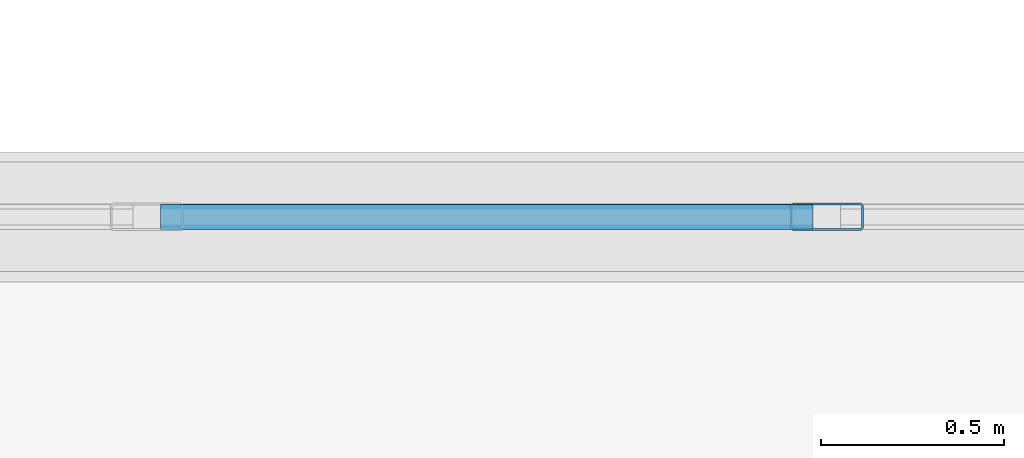
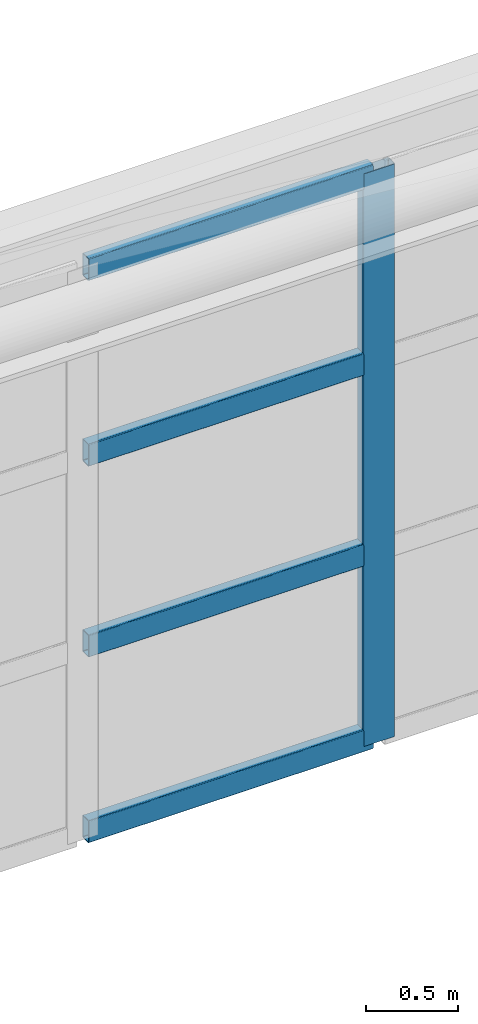
# One storey, part 72 of 135: 5 members, 1 element without a shape of its own.
"""IFC4 building model written with IfcOpenShell, lengths in metres."""

from ifc_helpers import new_model, si_unit, direction, frame, origin, origin_2d, place, context, subcontext, project, spatial, hollow_rectangle, extrude, material, material_profile, profile_set, type_object, element, aggregate, save


model = new_model("IFC4")

# Units and contexts
model_context = context("Model", 3, precision=1e-05, world=origin(), true_north=direction((0.0, 1.0)))
body_context = subcontext(model_context, "Body", "Model", "MODEL_VIEW")
ifc_project = project(units=[si_unit("LENGTHUNIT", "METRE"), si_unit("AREAUNIT", "SQUARE_METRE"), si_unit("VOLUMEUNIT", "CUBIC_METRE"), si_unit("PLANEANGLEUNIT", "RADIAN"), si_unit("MASSUNIT", "GRAM", prefix="KILO")], contexts=[model_context])

# Site, building, storey
site_placement = place(None, origin())
site = spatial("IfcSite", under=ifc_project, at=site_placement, CompositionType="ELEMENT")
building_placement = place(site_placement, origin())
building = spatial("IfcBuilding", under=site, at=building_placement, Name="Brelvane Convention Centre", CompositionType="ELEMENT")
storey_placement = place(building_placement, frame((0.0, 0.0, 15.0)))
storey = spatial("IfcBuildingStorey", under=building, at=storey_placement, Name="L03", CompositionType="ELEMENT", Elevation=15.0)

# Curtain wall, members
ifc_material_1 = material(Name="Anodised Aluminium Alloy 6063-T6", Category="aluminium")
curtain_wall_type = type_object("IfcCurtainWallType", Name="Curtain Wall CW-PLEN-E", PredefinedType="USERDEFINED", material=ifc_material_1)
curtain_wall_placement = place(storey_placement, origin())
curtain_wall = element("IfcCurtainWall", 1, at=curtain_wall_placement, inside=storey, type_object=curtain_wall_type, Name="Curtain Wall CW-PLEN-E L03-PLEN-N-CLER-3", ObjectType="UNITISED", PredefinedType="USERDEFINED")
ifc_material_2 = material(Name="Anodised Aluminium Alloy 6063-T6", Category="aluminium")
ifc_material_profile_1 = material_profile(ifc_material_2, hollow_rectangle(XDim=0.074951171875, YDim=0.199951171875, WallThickness=0.0048828125, InnerFilletRadius=0.0048828125, OuterFilletRadius=0.010009765625, at=origin_2d()), Name="ALU-M 200x75x5.0")
ifc_profile_set_1 = profile_set([ifc_material_profile_1], Name="Anodised Aluminium Alloy 6063-T6")
member_type_1 = type_object("IfcMemberType", Name="Curtain Mullion CW-M2", PredefinedType="MULLION", material=ifc_profile_set_1)
member_1_placement = place(storey_placement, frame((191.489990234375, 87.800048828125, 0.0), z_axis=(0.0, 0.0, 1.0), x_axis=(0.0, 1.0, 0.0)))
member_1 = element("IfcMember", 2, at=member_1_placement, type_object=member_type_1, Name="CW-PLEN-E mullion 5", PredefinedType="MULLION", context=body_context, shape_type="SweptSolid", body=[
    extrude(hollow_rectangle(XDim=0.074951171875, YDim=0.199951171875, WallThickness=0.0048828125, InnerFilletRadius=0.0048828125, OuterFilletRadius=0.010009765625, at=origin_2d()), origin(), (0.0, 0.0, 1.0), 3.800048828125),
])
ifc_material_3 = material(Name="Anodised Aluminium Alloy 6063-T6", Category="aluminium")
ifc_material_profile_2 = material_profile(ifc_material_3, hollow_rectangle(XDim=0.070068359375, YDim=0.14990234375, WallThickness=0.00439453125, InnerFilletRadius=0.00439453125, OuterFilletRadius=0.009033203125, at=origin_2d()), Name="ALU-T 150x70x4.5")
ifc_profile_set_2 = profile_set([ifc_material_profile_2], Name="Anodised Aluminium Alloy 6063-T6")
member_type_2 = type_object("IfcMemberType", Name="Curtain Transom CW-T2", PredefinedType="USERDEFINED", material=ifc_profile_set_2)
member_2_placement = place(storey_placement, frame((189.66748046875, 87.800048828125, 0.034912109375), z_axis=(1.0, 0.0, 0.0), x_axis=(0.0, 1.0, 0.0)))
member_2 = element("IfcMember", 3, at=member_2_placement, type_object=member_type_2, Name="CW-PLEN-E transom 4.1", ObjectType="TRANSOM", PredefinedType="USERDEFINED", context=body_context, shape_type="SweptSolid", body=[
    extrude(hollow_rectangle(XDim=0.070068359375, YDim=0.14990234375, WallThickness=0.00439453125, InnerFilletRadius=0.00439453125, OuterFilletRadius=0.009033203125, at=origin_2d()), origin(), (0.0, 0.0, 1.0), 1.784912109375),
])
member_3_placement = place(storey_placement, frame((189.66748046875, 87.800048828125, 1.2666015625), z_axis=(1.0, 0.0, 0.0), x_axis=(0.0, 1.0, 0.0)))
member_3 = element("IfcMember", 4, at=member_3_placement, type_object=member_type_2, Name="CW-PLEN-E transom 4.2", ObjectType="TRANSOM", PredefinedType="USERDEFINED", context=body_context, shape_type="SweptSolid", body=[
    extrude(hollow_rectangle(XDim=0.070068359375, YDim=0.14990234375, WallThickness=0.00439453125, InnerFilletRadius=0.00439453125, OuterFilletRadius=0.009033203125, at=origin_2d()), origin(), (0.0, 0.0, 1.0), 1.784912109375),
])
member_4_placement = place(storey_placement, frame((189.66748046875, 87.800048828125, 2.533203125), z_axis=(1.0, 0.0, 0.0), x_axis=(0.0, 1.0, 0.0)))
member_4 = element("IfcMember", 5, at=member_4_placement, type_object=member_type_2, Name="CW-PLEN-E transom 4.3", ObjectType="TRANSOM", PredefinedType="USERDEFINED", context=body_context, shape_type="SweptSolid", body=[
    extrude(hollow_rectangle(XDim=0.070068359375, YDim=0.14990234375, WallThickness=0.00439453125, InnerFilletRadius=0.00439453125, OuterFilletRadius=0.009033203125, at=origin_2d()), origin(), (0.0, 0.0, 1.0), 1.784912109375),
])
member_5_placement = place(storey_placement, frame((189.66748046875, 87.800048828125, 3.764892578125), z_axis=(1.0, 0.0, 0.0), x_axis=(0.0, 1.0, 0.0)))
member_5 = element("IfcMember", 6, at=member_5_placement, type_object=member_type_2, Name="CW-PLEN-E transom 4.4", ObjectType="TRANSOM", PredefinedType="USERDEFINED", context=body_context, shape_type="SweptSolid", body=[
    extrude(hollow_rectangle(XDim=0.070068359375, YDim=0.14990234375, WallThickness=0.00439453125, InnerFilletRadius=0.00439453125, OuterFilletRadius=0.009033203125, at=origin_2d()), origin(), (0.0, 0.0, 1.0), 1.784912109375),
])
aggregate(curtain_wall, [member_1, member_2, member_3, member_4, member_5])

save(model, "model.ifc")
